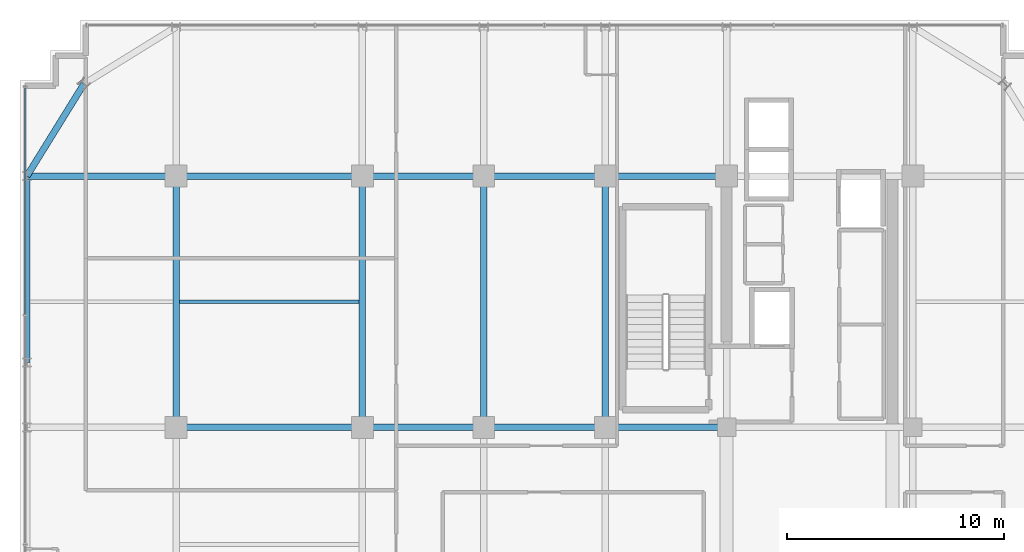
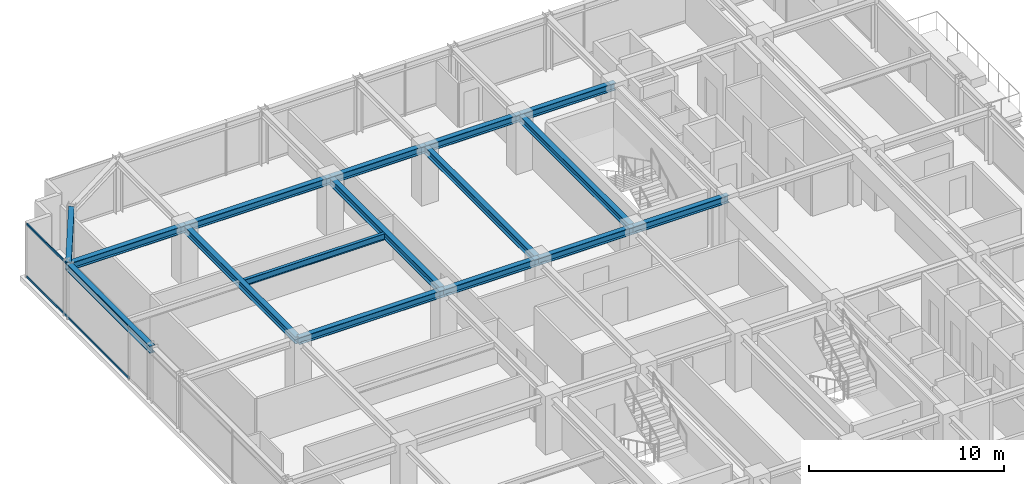
# One storey, part 19 of 36: 16 beams, 2 members, 1 element without a shape of its own.
"""IFC4 building model written with IfcOpenShell, lengths in metres."""

from ifc_helpers import new_model, si_unit, direction, frame, origin, origin_2d, place, context, subcontext, project, spatial, hollow_rectangle, i_section, extrude, source, transform, mapped, material, material_profile, profile_set, type_object, element, aggregate, save


model = new_model("IFC4")

# Units and contexts
model_context = context("Model", 3, precision=1e-05, world=origin(), true_north=direction((0.0, 1.0)))
body_context = subcontext(model_context, "Body", "Model", "MODEL_VIEW")
ifc_project = project(units=[si_unit("LENGTHUNIT", "METRE"), si_unit("AREAUNIT", "SQUARE_METRE"), si_unit("VOLUMEUNIT", "CUBIC_METRE"), si_unit("PLANEANGLEUNIT", "RADIAN"), si_unit("MASSUNIT", "GRAM", prefix="KILO")], contexts=[model_context])

# Site, building, storey
site_placement = place(None, origin())
site = spatial("IfcSite", under=ifc_project, at=site_placement, CompositionType="ELEMENT")
building_placement = place(site_placement, origin())
building = spatial("IfcBuilding", under=site, at=building_placement, Name="Nahalor Promenade Grand Hotel", CompositionType="ELEMENT")
storey_placement = place(building_placement, frame((0.0, 0.0, 253.0)))
storey = spatial("IfcBuildingStorey", under=building, at=storey_placement, Name="L65", CompositionType="ELEMENT", Elevation=253.0)

# Beams
ifc_material_1 = material(Name="Steel S355JR", Category="steel")
ifc_material_profile_1 = material_profile(ifc_material_1, i_section(OverallWidth=0.3, OverallDepth=0.45, WebThickness=0.014, FlangeThickness=0.026, at=origin_2d()), Name="HEB 450")
ifc_profile_set_1 = profile_set([ifc_material_profile_1], Name="Steel S355JR")
beam_type_1 = type_object("IfcBeamType", Name="Beam-Spandrel-HEB450", PredefinedType="SPANDREL", material=ifc_profile_set_1)
shared_shape_1 = source(origin(), body_context, "Body", "SweptSolid", [
    extrude(i_section(OverallWidth=0.3, OverallDepth=0.45, WebThickness=0.014, FlangeThickness=0.026, at=origin_2d()), origin(), (0.0, 0.0, 1.0), 8.60009765625),
])
beam_1_placement = place(storey_placement, frame((-23.8798828125, 8.39990234375, 3.18505859375), z_axis=(0.0, 1.0, 0.0), x_axis=(-1.0, 0.0, 0.0)))
element("IfcBeam", 1, at=beam_1_placement, inside=storey, type_object=beam_type_1, Name="BM-L65-SP-W-4", PredefinedType="SPANDREL", context=body_context, shape_type="MappedRepresentation", body=[
    mapped(shared_shape_1, transform((0.0, 0.0, 0.0), scale=1.0)),
])
shared_shape_2 = source(origin(), body_context, "Body", "SweptSolid", [
    extrude(i_section(OverallWidth=0.3, OverallDepth=0.45, WebThickness=0.014, FlangeThickness=0.026, at=origin_2d()), origin(), (0.0, 0.0, 1.0), 4.997802734375),
])
beam_2_placement = place(storey_placement, frame((-21.25, 21.25, 3.18505859375), z_axis=(-0.526199891161, -0.850360908404, 0.0), x_axis=(0.850360908404, -0.526199891161, 0.0)))
element("IfcBeam", 2, at=beam_2_placement, inside=storey, type_object=beam_type_1, Name="BM-L65-SPC-NW-2", PredefinedType="SPANDREL", context=body_context, shape_type="MappedRepresentation", body=[
    mapped(shared_shape_2, transform((0.0, 0.0, 0.0), scale=1.0)),
])
ifc_material_profile_2 = material_profile(ifc_material_1, i_section(OverallWidth=0.3, OverallDepth=0.45, WebThickness=0.014, FlangeThickness=0.026, at=origin_2d()), Name="HEB 450")
ifc_profile_set_2 = profile_set([ifc_material_profile_2], Name="Steel S355JR")
beam_type_2 = type_object("IfcBeamType", Name="Beam-Girder-HEB450", PredefinedType="BEAM", material=ifc_profile_set_2)
shared_shape_3 = source(origin(), body_context, "Body", "SweptSolid", [
    extrude(i_section(OverallWidth=0.3, OverallDepth=0.45, WebThickness=0.014, FlangeThickness=0.026, at=origin_2d()), origin(), (0.0, 0.0, 1.0), 6.8798828125),
])
beam_3_placement = place(storey_placement, frame((-23.8798828125, 17.0, 3.18505859375), z_axis=(1.0, 0.0, 0.0), x_axis=(0.0, 1.0, 0.0)))
element("IfcBeam", 3, at=beam_3_placement, inside=storey, type_object=beam_type_2, Name="BM-L65-GX-3-0", PredefinedType="BEAM", context=body_context, shape_type="MappedRepresentation", body=[
    mapped(shared_shape_3, transform((0.0, 0.0, 0.0), scale=1.0)),
])
shared_shape_4 = source(origin(), body_context, "Body", "SweptSolid", [
    extrude(i_section(OverallWidth=0.3, OverallDepth=0.45, WebThickness=0.014, FlangeThickness=0.026, at=origin_2d()), origin(), (0.0, 0.0, 1.0), 8.60009765625),
])
for number, where, z_axis, x_axis, name in (
    (4, (-17.0, 5.39990234375, 3.18505859375), (1.0, 0.0, 0.0), (0.0, 1.0, 0.0), "BM-L65-GX-2-1"),
    (5, (-17.0, 17.0, 3.18505859375), (1.0, 0.0, 0.0), (0.0, 1.0, 0.0), "BM-L65-GX-3-1"),
):
    element("IfcBeam", number, at=place(storey_placement, frame(where, z_axis=z_axis, x_axis=x_axis)), inside=storey, type_object=beam_type_2, Name=name, PredefinedType="BEAM", context=body_context, shape_type="MappedRepresentation", body=[
        mapped(shared_shape_4, transform((0.0, 0.0, 0.0), scale=1.0)),
    ])
shared_shape_5 = source(origin(), body_context, "Body", "SweptSolid", [
    extrude(i_section(OverallWidth=0.3, OverallDepth=0.45, WebThickness=0.014, FlangeThickness=0.026, at=origin_2d()), origin(), (0.0, 0.0, 1.0), 5.599853515625),
])
for number, where, z_axis, x_axis, name in (
    (6, (-8.39990234375, 5.39990234375, 3.18505859375), (1.0, 0.0, 0.0), (0.0, 1.0, 0.0), "BM-L65-GX-2-2"),
    (7, (2.800048828125, 5.39990234375, 3.18505859375), (1.0, 0.0, 0.0), (0.0, 1.0, 0.0), "BM-L65-GX-2-4"),
    (8, (-8.39990234375, 17.0, 3.18505859375), (1.0, 0.0, 0.0), (0.0, 1.0, 0.0), "BM-L65-GX-3-2"),
    (9, (2.800048828125, 17.0, 3.18505859375), (1.0, 0.0, 0.0), (0.0, 1.0, 0.0), "BM-L65-GX-3-4"),
):
    element("IfcBeam", number, at=place(storey_placement, frame(where, z_axis=z_axis, x_axis=x_axis)), inside=storey, type_object=beam_type_2, Name=name, PredefinedType="BEAM", context=body_context, shape_type="MappedRepresentation", body=[
        mapped(shared_shape_5, transform((0.0, 0.0, 0.0), scale=1.0)),
    ])
shared_shape_6 = source(origin(), body_context, "Body", "SweptSolid", [
    extrude(i_section(OverallWidth=0.3, OverallDepth=0.45, WebThickness=0.014, FlangeThickness=0.026, at=origin_2d()), origin(), (0.0, 0.0, 1.0), 5.60009765625),
])
for number, where, z_axis, x_axis, name in (
    (10, (-2.800048828125, 5.39990234375, 3.18505859375), (1.0, 0.0, 0.0), (0.0, 1.0, 0.0), "BM-L65-GX-2-3"),
    (11, (-2.800048828125, 17.0, 3.18505859375), (1.0, 0.0, 0.0), (0.0, 1.0, 0.0), "BM-L65-GX-3-3"),
):
    element("IfcBeam", number, at=place(storey_placement, frame(where, z_axis=z_axis, x_axis=x_axis)), inside=storey, type_object=beam_type_2, Name=name, PredefinedType="BEAM", context=body_context, shape_type="MappedRepresentation", body=[
        mapped(shared_shape_6, transform((0.0, 0.0, 0.0), scale=1.0)),
    ])
shared_shape_7 = source(origin(), body_context, "Body", "SweptSolid", [
    extrude(i_section(OverallWidth=0.3, OverallDepth=0.45, WebThickness=0.014, FlangeThickness=0.026, at=origin_2d()), origin(), (0.0, 0.0, 1.0), 11.60009765625),
])
for number, where, z_axis, x_axis, name in (
    (12, (-17.0, 5.39990234375, 3.18505859375), (0.0, 1.0, 0.0), (-1.0, 0.0, 0.0), "BM-L65-GY-0-3"),
    (13, (-8.39990234375, 5.39990234375, 3.18505859375), (0.0, 1.0, 0.0), (-1.0, 0.0, 0.0), "BM-L65-GY-1-3"),
    (14, (-2.800048828125, 5.39990234375, 3.18505859375), (0.0, 1.0, 0.0), (-1.0, 0.0, 0.0), "BM-L65-GY-2-3"),
    (15, (2.800048828125, 5.39990234375, 3.18505859375), (0.0, 1.0, 0.0), (-1.0, 0.0, 0.0), "BM-L65-GY-3-3"),
):
    element("IfcBeam", number, at=place(storey_placement, frame(where, z_axis=z_axis, x_axis=x_axis)), inside=storey, type_object=beam_type_2, Name=name, PredefinedType="BEAM", context=body_context, shape_type="MappedRepresentation", body=[
        mapped(shared_shape_7, transform((0.0, 0.0, 0.0), scale=1.0)),
    ])
ifc_material_profile_3 = material_profile(ifc_material_1, i_section(OverallWidth=0.18, OverallDepth=0.4, WebThickness=0.0086, FlangeThickness=0.0135, at=origin_2d()), Name="IPE 400")
ifc_profile_set_3 = profile_set([ifc_material_profile_3], Name="Steel S355JR")
beam_type_3 = type_object("IfcBeamType", Name="Beam-Joist-IPE400", PredefinedType="JOIST", material=ifc_profile_set_3)
shared_shape_8 = source(origin(), body_context, "Body", "SweptSolid", [
    extrude(i_section(OverallWidth=0.18, OverallDepth=0.4, WebThickness=0.0086, FlangeThickness=0.0135, at=origin_2d()), origin(), (0.0, 0.0, 1.0), 8.300048828125),
])
beam_4_placement = place(storey_placement, frame((-16.85009765625, 11.199951171875, 3.2099609375), z_axis=(1.0, 0.0, 0.0), x_axis=(0.0, 1.0, 0.0)))
element("IfcBeam", 16, at=beam_4_placement, inside=storey, type_object=beam_type_3, Name="BM-L65-JSW-1-1", PredefinedType="JOIST", context=body_context, shape_type="MappedRepresentation", body=[
    mapped(shared_shape_8, transform((0.0, 0.0, 0.0), scale=1.0)),
])

# Curtain wall, members
ifc_material_2 = material(Name="Anodised Bronze Aluminium EN AW-6063 T6", Category="aluminium")
curtain_wall_type = type_object("IfcCurtainWallType", Name="CW2 Typical Hotel Flush Bronze Unitised Curtain Wall", PredefinedType="USERDEFINED", material=ifc_material_2)
curtain_wall_placement = place(storey_placement, origin())
curtain_wall = element("IfcCurtainWall", 17, at=curtain_wall_placement, inside=storey, type_object=curtain_wall_type, Name="L65 Curtain Wall CW-L65-W-1", ObjectType="UNITISED_CURTAIN_WALL", PredefinedType="USERDEFINED")
ifc_material_profile_4 = material_profile(ifc_material_2, hollow_rectangle(XDim=0.065, YDim=0.13, WallThickness=0.004, at=origin_2d()), Name="CWT 65x130x4")
ifc_profile_set_4 = profile_set([ifc_material_profile_4], Name="Anodised Bronze Aluminium EN AW-6063 T6")
member_type = type_object("IfcMemberType", Name="CWT2 Typical Bronze Transom 65x130", PredefinedType="USERDEFINED", material=ifc_profile_set_4)
shared_shape_9 = source(origin(), body_context, "Body", "SweptSolid", [
    extrude(hollow_rectangle(XDim=0.065, YDim=0.13, WallThickness=0.004, at=origin_2d()), origin(), (0.0, 0.0, 1.0), 10.482421875),
])
member_1_placement = place(storey_placement, frame((-23.9599609375, 10.612548828125, 0.06494140625), z_axis=(0.0, 1.0, 0.0), x_axis=(-1.0, 0.0, 0.0)))
member_1 = element("IfcMember", 18, at=member_1_placement, type_object=member_type, Name="CW-L65-W-1 Transom 3-0", ObjectType="TRANSOM", PredefinedType="USERDEFINED", context=body_context, shape_type="MappedRepresentation", body=[
    mapped(shared_shape_9, transform((0.0, 0.0, 0.0), scale=1.0)),
])
member_2_placement = place(storey_placement, frame((-23.9599609375, 10.612548828125, 3.344970703125), z_axis=(0.0, 1.0, 0.0), x_axis=(-1.0, 0.0, 0.0)))
member_2 = element("IfcMember", 19, at=member_2_placement, type_object=member_type, Name="CW-L65-W-1 Transom 3-1", ObjectType="TRANSOM", PredefinedType="USERDEFINED", context=body_context, shape_type="MappedRepresentation", body=[
    mapped(shared_shape_9, transform((0.0, 0.0, 0.0), scale=1.0)),
])
aggregate(curtain_wall, [member_1, member_2])

save(model, "model.ifc")
